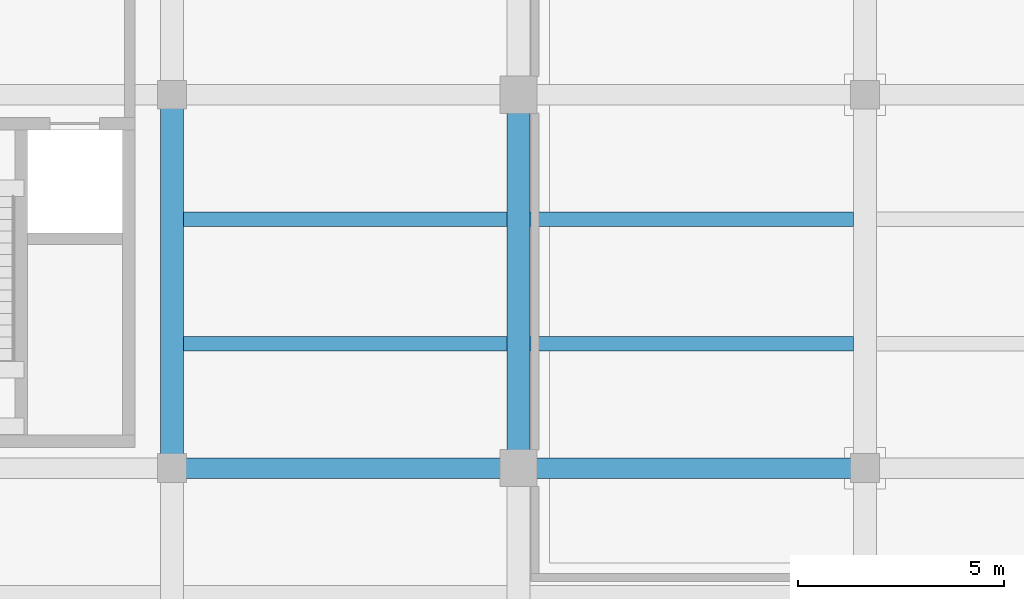
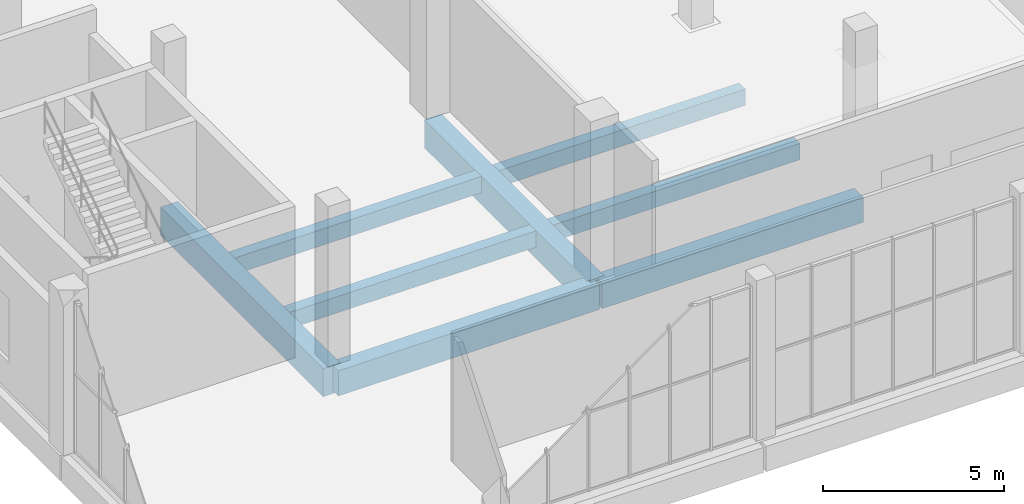
# One storey, part 9 of 132: 8 beams.
"""IFC4 building model written with IfcOpenShell, lengths in metres."""

from ifc_helpers import new_model, si_unit, direction, frame, origin, origin_2d, place, context, subcontext, project, spatial, rectangle, extrude, material, material_profile, profile_set, type_object, element, save


model = new_model("IFC4")

# Units and contexts
model_context = context("Model", 3, precision=1e-05, world=origin(), true_north=direction((0.0, 1.0)))
body_context = subcontext(model_context, "Body", "Model", "MODEL_VIEW")
ifc_project = project(units=[si_unit("LENGTHUNIT", "METRE"), si_unit("AREAUNIT", "SQUARE_METRE"), si_unit("VOLUMEUNIT", "CUBIC_METRE"), si_unit("PLANEANGLEUNIT", "RADIAN"), si_unit("MASSUNIT", "GRAM", prefix="KILO")], contexts=[model_context])

# Site, building, storey
site_placement = place(None, origin())
site = spatial("IfcSite", under=ifc_project, at=site_placement, CompositionType="ELEMENT")
building_placement = place(site_placement, origin())
building = spatial("IfcBuilding", under=site, at=building_placement, Name="Khurvash Pelagic Aquarium", CompositionType="ELEMENT")
storey_placement = place(building_placement, frame((0.0, 0.0, 5.39990234375)))
storey = spatial("IfcBuildingStorey", under=building, at=storey_placement, Name="L01", CompositionType="ELEMENT", Elevation=5.39990234375)

# Beams
ifc_material_1 = material(Name="Concrete C40/50", Category="concrete")
ifc_material_profile_1 = material_profile(ifc_material_1, rectangle(XDim=0.550048828125, YDim=0.949951171875, at=origin_2d()), Name="RC550X950")
ifc_profile_set_1 = profile_set([ifc_material_profile_1], Name="Concrete C40/50")
beam_type_1 = type_object("IfcBeamType", Name="BM-02", PredefinedType="BEAM", material=ifc_profile_set_1)
for number, where, z_axis, x_axis, name in (
    (1, (33.60009765625, 11.68994140625, -0.784912109375), (0.0, 1.0, 0.0), (-1.0, 0.0, 0.0), "L01 Primary Girder BM-02 00370"),
    (2, (42.0, 11.68994140625, -0.784912109375), (0.0, 1.0, 0.0), (-1.0, 0.0, 0.0), "L01 Primary Girder BM-02 00381"),
):
    element("IfcBeam", number, at=place(storey_placement, frame(where, z_axis=z_axis, x_axis=x_axis)), inside=storey, type_object=beam_type_1, Name=name, PredefinedType="BEAM", context=body_context, shape_type="SweptSolid", body=[
        extrude(rectangle(XDim=0.550048828125, YDim=0.949951171875, at=origin_2d()), origin(), (0.0, 0.0, 1.0), 8.969970703125),
    ])
ifc_material_profile_2 = material_profile(ifc_material_1, rectangle(XDim=0.5, YDim=0.85009765625, at=origin_2d()), Name="RC500X850")
ifc_profile_set_2 = profile_set([ifc_material_profile_2], Name="Concrete C40/50")
beam_type_2 = type_object("IfcBeamType", Name="BM-03", PredefinedType="BEAM", material=ifc_profile_set_2)
for number, where, z_axis, x_axis, name in (
    (3, (33.639892578125, 11.64990234375, -0.744873046875), (1.0, 0.0, 0.0), (0.0, 1.0, 0.0), "L01 Primary Girder BM-03 00252"),
    (4, (42.0400390625, 11.64990234375, -0.744873046875), (1.0, 0.0, 0.0), (0.0, 1.0, 0.0), "L01 Primary Girder BM-03 00253"),
):
    element("IfcBeam", number, at=place(storey_placement, frame(where, z_axis=z_axis, x_axis=x_axis)), inside=storey, type_object=beam_type_2, Name=name, PredefinedType="BEAM", context=body_context, shape_type="SweptSolid", body=[
        extrude(rectangle(XDim=0.5, YDim=0.85009765625, at=origin_2d()), origin(), (0.0, 0.0, 1.0), 8.320068359375),
    ])
ifc_material_2 = material(Name="Concrete C35/45", Category="concrete")
ifc_material_profile_3 = material_profile(ifc_material_2, rectangle(XDim=0.35009765625, YDim=0.550048828125, at=origin_2d()), Name="RC350X550")
ifc_profile_set_3 = profile_set([ifc_material_profile_3], Name="Concrete C35/45")
beam_type_3 = type_object("IfcBeamType", Name="JS-01", PredefinedType="JOIST", material=ifc_profile_set_3)
for number, where, z_axis, x_axis, name in (
    (5, (33.875, 14.6669921875, -0.5849609375), (1.0, 0.0, 0.0), (0.0, 1.0, 0.0), "L01 Floor Joist JS-01 00478"),
    (6, (33.875, 17.68310546875, -0.5849609375), (1.0, 0.0, 0.0), (0.0, 1.0, 0.0), "L01 Floor Joist JS-01 00479"),
    (7, (42.27490234375, 14.6669921875, -0.5849609375), (1.0, 0.0, 0.0), (0.0, 1.0, 0.0), "L01 Floor Joist JS-01 00486"),
    (8, (42.27490234375, 17.68310546875, -0.5849609375), (1.0, 0.0, 0.0), (0.0, 1.0, 0.0), "L01 Floor Joist JS-01 00487"),
):
    element("IfcBeam", number, at=place(storey_placement, frame(where, z_axis=z_axis, x_axis=x_axis)), inside=storey, type_object=beam_type_3, Name=name, PredefinedType="JOIST", context=body_context, shape_type="SweptSolid", body=[
        extrude(rectangle(XDim=0.35009765625, YDim=0.550048828125, at=origin_2d()), origin(), (0.0, 0.0, 1.0), 7.85009765625),
    ])

save(model, "model.ifc")
